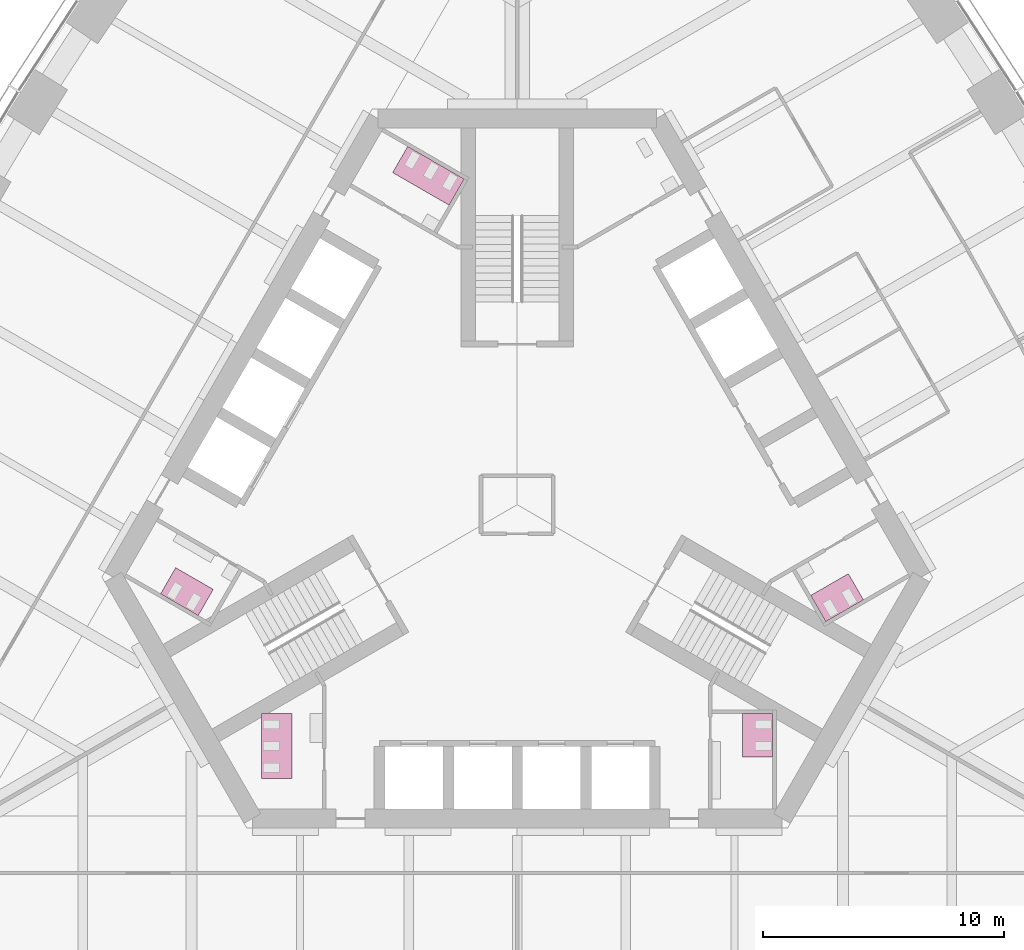
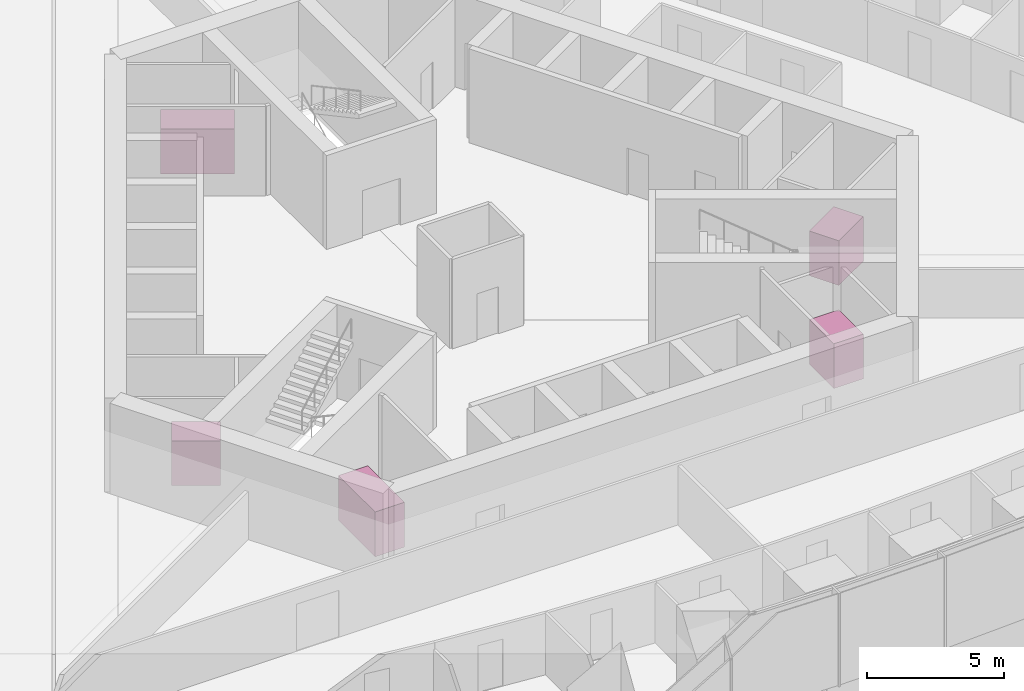
# One storey, part 18 of 18: 5 furniture elements.
"""IFC4 building model written with IfcOpenShell, lengths in metres."""

import ifcopenshell
import ifcopenshell.guid

model = None  # the IFC model being written
_history = None  # IfcOwnerHistory: only IFC2X3 demands one
_inside = {}  # id of a spatial element -> (the spatial element, [elements in it])
_under = {}  # id of a project, library or spatial element -> (it, [spatial elements below it])
_declared = {}  # id of a project -> (the project, [libraries it declares])
_typed = {}  # id of a type object -> (the type object, [elements of that type])
_made_of = {}  # id of a material, layer set ... -> (it, [elements and type objects made of it])


def new_model(schema):
    """Start an empty IFC model of exactly this schema.

    Asked for "IFC4X3", IfcOpenShell would pick the latest addendum, in which some entities
    have other attributes; the version numbers below select the first issue.
    IFC2X3 requires an IfcOwnerHistory on every rooted entity: one is made here for all.
    """
    global model, _history
    if schema == "IFC4X3":
        model = ifcopenshell.file(schema_version=(4, 3, 0, 0))
    else:
        model = ifcopenshell.file(schema=schema)
    _inside.clear()
    _under.clear()
    _declared.clear()
    _typed.clear()
    _made_of.clear()
    _history = None
    if model.schema == "IFC2X3":
        org = make("IfcOrganization", Name="unknown")
        user = make(
            "IfcPersonAndOrganization",
            ThePerson=make("IfcPerson", FamilyName="unknown"),
            TheOrganization=org,
        )
        app = make(
            "IfcApplication",
            ApplicationDeveloper=org,
            Version="unknown",
            ApplicationFullName="unknown",
            ApplicationIdentifier="unknown",
        )
        _history = make(
            "IfcOwnerHistory",
            OwningUser=user,
            OwningApplication=app,
            ChangeAction="ADDED",
            CreationDate=0,
        )
    return model


def make(cls, **values):
    """One entity of the class cls with the attributes given. An attribute that is None is left unset."""
    return model.create_entity(
        cls, **{name: value for name, value in values.items() if value is not None}
    )


def rooted(cls, **values):
    """An entity with a GlobalId (a new one), such as an element, a storey or a relation."""
    return make(cls, GlobalId=ifcopenshell.guid.new(), OwnerHistory=_history, **values)


def si_unit(unit_type, name, prefix=None):
    """IfcSIUnit, for example si_unit("LENGTHUNIT", "METRE", prefix="MILLI")."""
    return make("IfcSIUnit", UnitType=unit_type, Prefix=prefix, Name=name)


def assignment(units):
    """IfcUnitAssignment: the units of a project."""
    return None if units is None else make("IfcUnitAssignment", Units=units)


def point(xyz):
    """IfcCartesianPoint."""
    return None if xyz is None else make("IfcCartesianPoint", Coordinates=xyz)


def direction(xyz):
    """IfcDirection."""
    return None if xyz is None else make("IfcDirection", DirectionRatios=xyz)


def frame(location, z_axis=None, x_axis=None):
    """IfcAxis2Placement3D, a coordinate frame: its origin and axes. An axis left out is left unset."""
    return make(
        "IfcAxis2Placement3D",
        Location=point(location),
        Axis=direction(z_axis),
        RefDirection=direction(x_axis),
    )


def origin():
    """The frame at (0, 0, 0) with its axes left unset."""
    return frame((0.0, 0.0, 0.0))


def place(relative_to, where):
    """IfcLocalPlacement: puts the frame where relative to a parent placement (None: the world)."""
    return make(
        "IfcLocalPlacement", PlacementRelTo=relative_to, RelativePlacement=where
    )


def context(
    kind, dimensions, precision=None, world=None, true_north=None, identifier=None
):
    """IfcGeometricRepresentationContext, for example the 3D "Model" context."""
    return make(
        "IfcGeometricRepresentationContext",
        ContextIdentifier=identifier,
        ContextType=kind,
        CoordinateSpaceDimension=dimensions,
        Precision=precision,
        WorldCoordinateSystem=world,
        TrueNorth=true_north,
    )


def subcontext(parent, identifier, kind, view, scale=None):
    """IfcGeometricRepresentationSubContext, for example "Body" below "Model"."""
    return make(
        "IfcGeometricRepresentationSubContext",
        ContextIdentifier=identifier,
        ContextType=kind,
        ParentContext=parent,
        TargetScale=scale,
        TargetView=view,
    )


def project(units=None, contexts=None):
    """IfcProject with its units and contexts."""
    return rooted(
        "IfcProject",
        Name="project",
        RepresentationContexts=contexts,
        UnitsInContext=assignment(units),
    )


def spatial(cls, under=None, at=None, **own):
    """A site, building, storey or space (cls), placed at a placement, below another one or the project."""
    s = rooted(cls, ObjectPlacement=at, **own)
    if under is not None:
        _under.setdefault(under.id(), (under, []))[1].append(s)
    return s


def polyline(points):
    """IfcPolyline through the points."""
    return make("IfcPolyline", Points=[point(p) for p in points])


def outline(outer, holes=None, kind="AREA"):
    """IfcArbitraryClosedProfileDef: a profile drawn as a closed curve; with holes, ...WithVoids."""
    if holes is None:
        return make("IfcArbitraryClosedProfileDef", ProfileType=kind, OuterCurve=outer)
    return make(
        "IfcArbitraryProfileDefWithVoids",
        ProfileType=kind,
        OuterCurve=outer,
        InnerCurves=holes,
    )


def extrude(swept, where, along, depth):
    """IfcExtrudedAreaSolid: the profile swept, set in the frame where, extruded along a direction by depth."""
    return make(
        "IfcExtrudedAreaSolid",
        SweptArea=swept,
        Position=where,
        ExtrudedDirection=direction(along),
        Depth=depth,
    )


def shape(context_of_items, identifier, shape_type, items):
    """IfcShapeRepresentation: the items that make up one representation, for example the "Body"."""
    return make(
        "IfcShapeRepresentation",
        ContextOfItems=context_of_items,
        RepresentationIdentifier=identifier,
        RepresentationType=shape_type,
        Items=items,
    )


def material(Name=None, Category=None):
    """IfcMaterial."""
    return make("IfcMaterial", Name=Name, Category=Category)


def made_of(thing, what):
    """Note that an element or type object is made of a material, layer set ...; save() writes the relation."""
    if what is not None:
        _made_of.setdefault(what.id(), (what, []))[1].append(thing)
    return thing


def type_object(cls, material=None, **own):
    """A type object (cls), such as IfcWallType, which elements share."""
    return made_of(rooted(cls, **own), material)


def element(
    cls,
    number,
    at=None,
    inside=None,
    cuts=None,
    type_object=None,
    material=None,
    context=None,
    identifier="Body",
    shape_type=None,
    held_by="IfcProductDefinitionShape",
    body=None,
    shapes=None,
    **own,
):
    """One element of the class cls, such as IfcWall. Its Tag is "e" and its number.

    at: its placement. inside: the storey or other place that contains it. cuts: it is an
    opening in that element (IfcRelVoidsElement). A single representation is given by context,
    identifier, shape_type and body (its items); several are given by shapes. held_by: the class
    of the entity that holds the representations. save() writes the other relations.
    """
    e = rooted(cls, Tag="e%d" % number, ObjectPlacement=at, **own)
    if body is not None:
        shapes = [shape(context, identifier, shape_type, body)]
    if shapes is not None:
        e.Representation = make(held_by, Representations=shapes)
    if inside is not None:
        _inside.setdefault(inside.id(), (inside, []))[1].append(e)
    if cuts is not None:
        rooted(
            "IfcRelVoidsElement", RelatingBuildingElement=cuts, RelatedOpeningElement=e
        )
    if type_object is not None:
        _typed.setdefault(type_object.id(), (type_object, []))[1].append(e)
    return made_of(e, material)


def aggregate(whole, parts):
    """IfcRelAggregates: a whole, such as a stair, and the parts it consists of."""
    return rooted("IfcRelAggregates", RelatingObject=whole, RelatedObjects=parts)


def save(model, path):
    """Write the relations noted so far, then the file.

    IfcRelAggregates (storeys below a building ...), IfcRelContainedInSpatialStructure (elements
    in a storey), IfcRelDefinesByType, IfcRelAssociatesMaterial and IfcRelDeclares: one each for
    every whole, place, type object, material and project.
    """
    for whole, parts in _under.values():
        aggregate(whole, parts)
    for where, things in _inside.values():
        rooted(
            "IfcRelContainedInSpatialStructure",
            RelatedElements=things,
            RelatingStructure=where,
        )
    for kind, things in _typed.values():
        rooted("IfcRelDefinesByType", RelatedObjects=things, RelatingType=kind)
    for what, things in _made_of.values():
        rooted("IfcRelAssociatesMaterial", RelatedObjects=things, RelatingMaterial=what)
    for by, libraries in _declared.values():
        rooted("IfcRelDeclares", RelatingContext=by, RelatedDefinitions=libraries)
    model.write(path)


model = new_model("IFC4")

# Units and contexts
model_context = context("Model", 3, precision=1e-05, world=origin(), true_north=direction((0.0, 1.0)))
body_context = subcontext(model_context, "Body", "Model", "MODEL_VIEW")
ifc_project = project(units=[si_unit("LENGTHUNIT", "METRE"), si_unit("AREAUNIT", "SQUARE_METRE"), si_unit("VOLUMEUNIT", "CUBIC_METRE"), si_unit("PLANEANGLEUNIT", "RADIAN"), si_unit("MASSUNIT", "GRAM", prefix="KILO")], contexts=[model_context])

# Site, building, storey
site_placement = place(None, origin())
site = spatial("IfcSite", under=ifc_project, at=site_placement, CompositionType="ELEMENT")
building_placement = place(site_placement, origin())
building = spatial("IfcBuilding", under=site, at=building_placement, Name="Trefoil Bronze Tower", CompositionType="ELEMENT")
storey_placement = place(building_placement, frame((0.0, 0.0, 111.5)))
storey = spatial("IfcBuildingStorey", under=building, at=storey_placement, Name="L25", CompositionType="ELEMENT", Elevation=111.5)

# Furniture
ifc_material_1 = material(Name="Compact laminate cubicles", Category="plastic")
furniture_type_1 = type_object("IfcFurnitureType", Name="WC cubicle range 2 cubicles", AssemblyPlace="FACTORY", PredefinedType="USERDEFINED", material=ifc_material_1)
furniture_1_placement = place(storey_placement, origin())
element("IfcFurniture", 1, at=furniture_1_placement, inside=storey, type_object=furniture_type_1, Name="WC cubicle range WC (men) L25", ObjectType="WC cubicle range", PredefinedType="USERDEFINED", context=body_context, shape_type="SweptSolid", body=[
    extrude(outline(polyline([(9.3349609375, -8.64990234375), (10.5849609375, -8.64990234375), (10.5849609375, -10.449951171875), (9.3349609375, -10.449951171875), (9.3349609375, -8.64990234375)])), origin(), (0.0, 0.0, 1.0), 2.0),
])
furniture_2_placement = place(storey_placement, origin())
element("IfcFurniture", 2, at=furniture_2_placement, inside=storey, type_object=furniture_type_1, Name="WC cubicle range WC (women) L25", ObjectType="WC cubicle range", PredefinedType="USERDEFINED", context=body_context, shape_type="SweptSolid", body=[
    extrude(outline(polyline([(12.15869140625, -3.75927734375), (12.78369140625, -4.841796875), (14.342529296875, -3.94189453125), (13.717529296875, -2.859375), (12.15869140625, -3.75927734375)])), origin(), (0.0, 0.0, 1.0), 2.0),
])
furniture_3_placement = place(storey_placement, origin())
element("IfcFurniture", 3, at=furniture_3_placement, inside=storey, type_object=furniture_type_1, Name="WC cubicle range WC (men) L25", ObjectType="WC cubicle range", PredefinedType="USERDEFINED", context=body_context, shape_type="SweptSolid", body=[
    extrude(outline(polyline([(-12.591552734375, -3.50927734375), (-13.216552734375, -4.591796875), (-14.775390625, -3.69189453125), (-14.150390625, -2.609375), (-12.591552734375, -3.50927734375)])), origin(), (0.0, 0.0, 1.0), 2.0),
])
ifc_material_2 = material(Name="Compact laminate cubicles", Category="plastic")
furniture_type_2 = type_object("IfcFurnitureType", Name="WC cubicle range 3 cubicles", AssemblyPlace="FACTORY", PredefinedType="USERDEFINED", material=ifc_material_2)
furniture_4_placement = place(storey_placement, origin())
element("IfcFurniture", 4, at=furniture_4_placement, inside=storey, type_object=furniture_type_2, Name="WC cubicle range WC (women) L25", ObjectType="WC cubicle range", PredefinedType="USERDEFINED", context=body_context, shape_type="SweptSolid", body=[
    extrude(outline(polyline([(-2.82373046875, 12.409423828125), (-2.19873046875, 13.491943359375), (-4.536865234375, 14.841796875), (-5.161865234375, 13.75927734375), (-2.82373046875, 12.409423828125)])), origin(), (0.0, 0.0, 1.0), 2.0),
])
furniture_5_placement = place(storey_placement, origin())
element("IfcFurniture", 5, at=furniture_5_placement, inside=storey, type_object=furniture_type_2, Name="WC cubicle range WC (women) L25", ObjectType="WC cubicle range", PredefinedType="USERDEFINED", context=body_context, shape_type="SweptSolid", body=[
    extrude(outline(polyline([(-9.3349609375, -8.64990234375), (-10.5849609375, -8.64990234375), (-10.5849609375, -11.35009765625), (-9.3349609375, -11.35009765625), (-9.3349609375, -8.64990234375)])), origin(), (0.0, 0.0, 1.0), 2.0),
])

save(model, "model.ifc")
